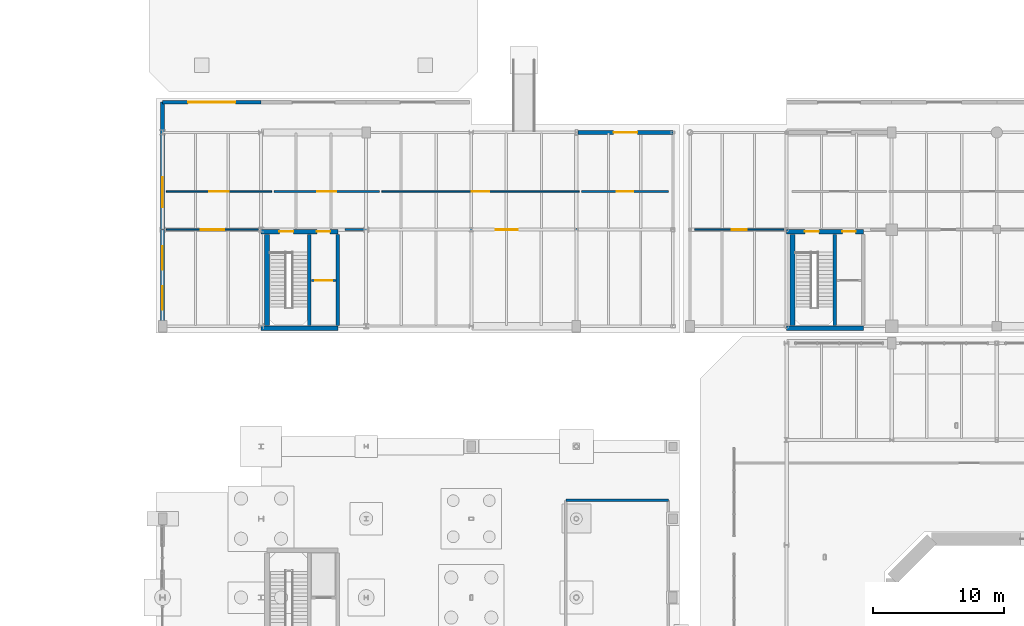
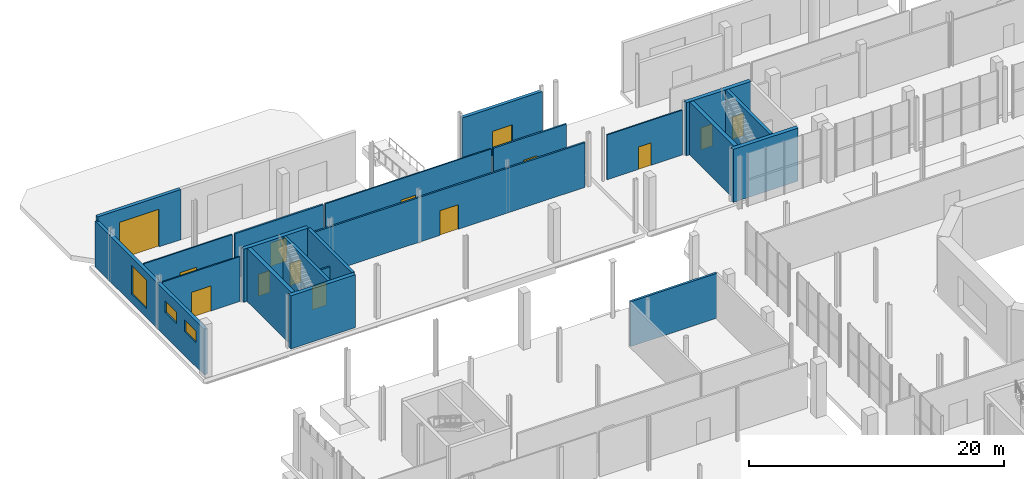
# One storey, part 69 of 87: 22 walls, 14 doors, 3 windows, 17 openings.
"""IFC4 building model written with IfcOpenShell, lengths in metres."""

from ifc_helpers import new_model, si_unit, direction, frame, frame_2d, origin, place, context, subcontext, project, spatial, rectangle, extrude, material, layer, layer_set, type_object, element, fill, save


model = new_model("IFC4")

# Units and contexts
model_context = context("Model", 3, precision=1e-05, world=origin(), true_north=direction((0.0, 1.0)))
body_context = subcontext(model_context, "Body", "Model", "MODEL_VIEW")
ifc_project = project(units=[si_unit("LENGTHUNIT", "METRE"), si_unit("AREAUNIT", "SQUARE_METRE"), si_unit("VOLUMEUNIT", "CUBIC_METRE"), si_unit("PLANEANGLEUNIT", "RADIAN"), si_unit("MASSUNIT", "GRAM", prefix="KILO")], contexts=[model_context])

# Site, building, storey
site_placement = place(None, origin())
site = spatial("IfcSite", under=ifc_project, at=site_placement, CompositionType="ELEMENT")
building_placement = place(site_placement, origin())
building = spatial("IfcBuilding", under=site, at=building_placement, Name="Brisemont Oceanarium", CompositionType="ELEMENT")
storey_placement = place(building_placement, origin())
storey = spatial("IfcBuildingStorey", under=building, at=storey_placement, Name="L00", CompositionType="ELEMENT", Elevation=0.0)

# Wall, opening, door
ifc_material_1 = material(Name="Sierra Granite Ashlar Backup Concrete C35/45", Category="masonry")
ifc_layer_1 = layer(ifc_material_1, 0.300048828125)
ifc_layer_set_1 = layer_set([ifc_layer_1], Name="Sierra Granite Ashlar Backup Concrete C35/45")
wall_type_1 = type_object("IfcWallType", Name="EW-GRANITE-300", PredefinedType="STANDARD", material=ifc_layer_set_1)
wall_1_placement = place(storey_placement, frame((16.5, 97.699951171875, 0.0), z_axis=(0.0, 0.0, 1.0), x_axis=(1.0, 0.0, 0.0)))
wall_1 = element("IfcWall", 1, at=wall_1_placement, inside=storey, type_object=wall_type_1, Name="Beaux-Arts exterior wall EW-V7WDOCK-1", PredefinedType="STANDARD", context=body_context, shape_type="SweptSolid", body=[
    extrude(rectangle(XDim=7.5, YDim=0.300048828125, at=frame_2d((3.75, 0.0))), origin(), (0.0, 0.0, 1.0), 4.800048828125),
])
opening_1_placement = place(wall_1_placement, frame((1.949951171875, 0.0, 0.0)))
opening_1 = element("IfcOpeningElement", 2, at=opening_1_placement, cuts=wall_1, Name="Opening EX-G1", PredefinedType="OPENING", context=body_context, shape_type="SweptSolid", body=[
    extrude(rectangle(XDim=3.60009765625, YDim=3.60009765625, at=frame_2d((1.800048828125, 1.800048828125))), frame((0.0, 0.159912109375, 0.0), z_axis=(0.0, -1.0, 0.0), x_axis=(1.0, 0.0, 0.0)), (0.0, 0.0, 1.0), 0.320068359375),
])
ifc_material_2 = material(Name="Duplex Stainless Steel EN 1.4462", Category="steel")
door_type_1 = type_object("IfcDoorType", Name="DR-GATE-3600X3600", OperationType="NOTDEFINED", PredefinedType="GATE", material=ifc_material_2)
door_1_placement = place(opening_1_placement, origin())
door_1 = element("IfcDoor", 3, at=door_1_placement, inside=storey, type_object=door_type_1, Name="EX-G1 exterior entrance door 12", OperationType="DOUBLE_DOOR_SLIDING", OverallHeight=3.60009765625, OverallWidth=3.60009765625, PredefinedType="GATE", context=body_context, shape_type="SweptSolid", body=[
    extrude(rectangle(XDim=3.60009765625, YDim=3.60009765625, at=frame_2d((1.800048828125, 1.800048828125))), frame((0.0, 0.02490234375, 0.0), z_axis=(0.0, -1.0, 0.0), x_axis=(1.0, 0.0, 0.0)), (0.0, 0.0, 1.0), 0.050048828125),
])
fill(opening_1, door_1)

wall_2_placement = place(storey_placement, frame((48.139892578125, 95.39990234375, 0.0), z_axis=(0.0, 0.0, 1.0), x_axis=(1.0, 0.0, 0.0)))
wall_2 = element("IfcWall", 4, at=wall_2_placement, inside=storey, type_object=wall_type_1, Name="Beaux-Arts exterior wall EW-C9-EXIT", PredefinedType="STANDARD", context=body_context, shape_type="SweptSolid", body=[
    extrude(rectangle(XDim=7.210205078125, YDim=0.300048828125, at=frame_2d((3.60498046875, 0.0))), origin(), (0.0, 0.0, 1.0), 4.5810546875),
])
opening_2_placement = place(wall_2_placement, frame((2.705078125, 0.0, 0.0)))
opening_2 = element("IfcOpeningElement", 5, at=opening_2_placement, cuts=wall_2, Name="Opening EX-03", PredefinedType="OPENING", context=body_context, shape_type="SweptSolid", body=[
    extrude(rectangle(XDim=1.800048828125, YDim=2.35009765625, at=frame_2d((0.89990234375, 1.175048828125))), frame((0.0, 0.159912109375, 0.0), z_axis=(0.0, -1.0, 0.0), x_axis=(1.0, 0.0, 0.0)), (0.0, 0.0, 1.0), 0.320068359375),
])
ifc_material_3 = material(Name="Patinated Architectural Bronze C38500")
door_type_2 = type_object("IfcDoorType", Name="DR-EXT-1800X2350", OperationType="NOTDEFINED", PredefinedType="DOOR", material=ifc_material_3)
door_2_placement = place(opening_2_placement, origin())
door_2 = element("IfcDoor", 6, at=door_2_placement, inside=storey, type_object=door_type_2, Name="EX-03 exterior entrance door 28", OperationType="SINGLE_SWING_RIGHT", OverallHeight=2.35009765625, OverallWidth=1.800048828125, PredefinedType="DOOR", context=body_context, shape_type="SweptSolid", body=[
    extrude(rectangle(XDim=1.800048828125, YDim=2.35009765625, at=frame_2d((0.89990234375, 1.175048828125))), frame((0.0, 0.02490234375, 0.0), z_axis=(0.0, -1.0, 0.0), x_axis=(1.0, 0.0, 0.0)), (0.0, 0.0, 1.0), 0.050048828125),
])
fill(opening_2, door_2)

# Wall, openings, windows
wall_3_placement = place(storey_placement, frame((16.5, 80.64990234375, 0.0), z_axis=(0.0, 0.0, 1.0), x_axis=(0.0, 1.0, 0.0)))
wall_3 = element("IfcWall", 7, at=wall_3_placement, inside=storey, type_object=wall_type_1, Name="Beaux-Arts exterior wall EW-V7W-W-L00-1", PredefinedType="STANDARD", context=body_context, shape_type="SweptSolid", body=[
    extrude(rectangle(XDim=7.35009765625, YDim=0.300048828125, at=frame_2d((3.675048828125, 0.0))), origin(), (0.0, 0.0, 1.0), 4.362060546875),
])
opening_3_placement = place(wall_3_placement, frame((1.25, 0.0, 2.300048828125)))
opening_3 = element("IfcOpeningElement", 8, at=opening_3_placement, cuts=wall_3, Name="Opening WIN-14", PredefinedType="OPENING", context=body_context, shape_type="SweptSolid", body=[
    extrude(rectangle(XDim=1.800048828125, YDim=1.10009765625, at=frame_2d((0.89990234375, 0.550048828125))), frame((0.0, 0.159912109375, 0.0), z_axis=(0.0, -1.0, 0.0), x_axis=(1.0, 0.0, 0.0)), (0.0, 0.0, 1.0), 0.320068359375),
])
opening_4_placement = place(wall_3_placement, frame((4.300048828125, 0.0, 2.300048828125)))
opening_4 = element("IfcOpeningElement", 9, at=opening_4_placement, cuts=wall_3, Name="Opening WIN-14", PredefinedType="OPENING", context=body_context, shape_type="SweptSolid", body=[
    extrude(rectangle(XDim=1.800048828125, YDim=1.10009765625, at=frame_2d((0.89990234375, 0.550048828125))), frame((0.0, 0.159912109375, 0.0), z_axis=(0.0, -1.0, 0.0), x_axis=(1.0, 0.0, 0.0)), (0.0, 0.0, 1.0), 0.320068359375),
])
ifc_material_4 = material(Name="Insulated Low-E Laminated Glass", Category="glass")
window_type_1 = type_object("IfcWindowType", Name="WIN-CLR-1800X1100", PartitioningType="SINGLE_PANEL", PredefinedType="WINDOW", material=ifc_material_4)
window_1_placement = place(opening_3_placement, origin())
window_1 = element("IfcWindow", 10, at=window_1_placement, inside=storey, type_object=window_type_1, Name="WIN-14 facade window 95", OverallHeight=1.10009765625, OverallWidth=1.800048828125, PartitioningType="SINGLE_PANEL", PredefinedType="WINDOW", context=body_context, shape_type="SweptSolid", body=[
    extrude(rectangle(XDim=1.800048828125, YDim=1.10009765625, at=frame_2d((0.89990234375, 0.550048828125))), frame((0.0, 0.030029296875, 0.0), z_axis=(0.0, -1.0, 0.0), x_axis=(1.0, 0.0, 0.0)), (0.0, 0.0, 1.0), 0.06005859375),
])
fill(opening_3, window_1)
window_2_placement = place(opening_4_placement, origin())
window_2 = element("IfcWindow", 11, at=window_2_placement, inside=storey, type_object=window_type_1, Name="WIN-14 facade window 96", OverallHeight=1.10009765625, OverallWidth=1.800048828125, PartitioningType="SINGLE_PANEL", PredefinedType="WINDOW", context=body_context, shape_type="SweptSolid", body=[
    extrude(rectangle(XDim=1.800048828125, YDim=1.10009765625, at=frame_2d((0.89990234375, 0.550048828125))), frame((0.0, 0.030029296875, 0.0), z_axis=(0.0, -1.0, 0.0), x_axis=(1.0, 0.0, 0.0)), (0.0, 0.0, 1.0), 0.06005859375),
])
fill(opening_4, window_2)

# Wall, opening, window
wall_4_placement = place(storey_placement, frame((16.5, 88.0, 0.0), z_axis=(0.0, 0.0, 1.0), x_axis=(0.0, 1.0, 0.0)))
wall_4 = element("IfcWall", 12, at=wall_4_placement, inside=storey, type_object=wall_type_1, Name="Beaux-Arts exterior wall EW-V7W-W-L00-2", PredefinedType="STANDARD", context=body_context, shape_type="SweptSolid", body=[
    extrude(rectangle(XDim=9.699951171875, YDim=0.300048828125, at=frame_2d((4.85009765625, 0.0))), origin(), (0.0, 0.0, 1.0), 4.362060546875),
])
opening_5_placement = place(wall_4_placement, frame((1.699951171875, 0.0, 0.85009765625)))
opening_5 = element("IfcOpeningElement", 13, at=opening_5_placement, cuts=wall_4, Name="Opening WIN-16", PredefinedType="OPENING", context=body_context, shape_type="SweptSolid", body=[
    extrude(rectangle(XDim=2.300048828125, YDim=2.75, at=frame_2d((1.14990234375, 1.375))), frame((0.0, 0.159912109375, 0.0), z_axis=(0.0, -1.0, 0.0), x_axis=(1.0, 0.0, 0.0)), (0.0, 0.0, 1.0), 0.320068359375),
])
ifc_material_5 = material(Name="Insulated Low-E Laminated Glass", Category="glass")
window_type_2 = type_object("IfcWindowType", Name="WIN-BA-2300X2750", PartitioningType="SINGLE_PANEL", PredefinedType="WINDOW", material=ifc_material_5)
window_3_placement = place(opening_5_placement, origin())
window_3 = element("IfcWindow", 14, at=window_3_placement, inside=storey, type_object=window_type_2, Name="WIN-16 facade window 97", OverallHeight=2.75, OverallWidth=2.300048828125, PartitioningType="SINGLE_PANEL", PredefinedType="WINDOW", context=body_context, shape_type="SweptSolid", body=[
    extrude(rectangle(XDim=2.300048828125, YDim=2.75, at=frame_2d((1.14990234375, 1.375))), frame((0.0, 0.030029296875, 0.0), z_axis=(0.0, -1.0, 0.0), x_axis=(1.0, 0.0, 0.0)), (0.0, 0.0, 1.0), 0.06005859375),
])
fill(opening_5, window_3)

# Wall, opening, door
ifc_material_6 = material(Name="Moisture-Resistant Gypsum Steel-Stud Partition", Category="steel")
ifc_layer_2 = layer(ifc_material_6, 0.159912109375)
ifc_layer_set_2 = layer_set([ifc_layer_2], Name="Moisture-Resistant Gypsum Steel-Stud Partition")
wall_type_2 = type_object("IfcWallType", Name="IW-FB-160", PredefinedType="PARTITIONING", material=ifc_layer_set_2)
wall_5_placement = place(storey_placement, frame((27.85009765625, 84.1298828125, 0.0), z_axis=(0.0, 0.0, 1.0), x_axis=(1.0, 0.0, 0.0)))
wall_5 = element("IfcWall", 15, at=wall_5_placement, inside=storey, type_object=wall_type_2, Name="Core C9 L00 lift hoistway front wall", PredefinedType="PARTITIONING", context=body_context, shape_type="SweptSolid", body=[
    extrude(rectangle(XDim=1.83984375, YDim=0.159912109375, at=frame_2d((0.919921875, 0.0))), origin(), (0.0, 0.0, 1.0), 3.60009765625),
])
opening_6_placement = place(wall_5_placement, frame((0.27001953125, 0.0, 0.0)))
opening_6 = element("IfcOpeningElement", 16, at=opening_6_placement, cuts=wall_5, Name="Opening LD-02", PredefinedType="OPENING", context=body_context, shape_type="SweptSolid", body=[
    extrude(rectangle(XDim=1.300048828125, YDim=2.199951171875, at=frame_2d((0.64990234375, 1.10009765625))), frame((0.0, 0.08984375, 0.0), z_axis=(0.0, -1.0, 0.0), x_axis=(1.0, 0.0, 0.0)), (0.0, 0.0, 1.0), 0.179931640625),
])
ifc_material_7 = material(Name="Duplex Stainless Steel EN 1.4462", Category="steel")
door_type_3 = type_object("IfcDoorType", Name="DR-LIFT-1300X2200", OperationType="NOTDEFINED", PredefinedType="DOOR", material=ifc_material_7)
door_3_placement = place(opening_6_placement, origin())
door_3 = element("IfcDoor", 17, at=door_3_placement, inside=storey, type_object=door_type_3, Name="Lift landing door L-09 L00", OperationType="SLIDING_TO_LEFT", OverallHeight=2.199951171875, OverallWidth=1.300048828125, PredefinedType="DOOR", context=body_context, shape_type="SweptSolid", body=[
    extrude(rectangle(XDim=1.300048828125, YDim=2.199951171875, at=frame_2d((0.64990234375, 1.10009765625))), frame((0.0, 0.02490234375, 0.0), z_axis=(0.0, -1.0, 0.0), x_axis=(1.0, 0.0, 0.0)), (0.0, 0.0, 1.0), 0.050048828125),
])
fill(opening_6, door_3)

wall_6_placement = place(storey_placement, frame((30.39990234375, 88.0, 0.0), z_axis=(0.0, 0.0, 1.0), x_axis=(1.0, 0.0, 0.0)))
wall_6 = element("IfcWall", 18, at=wall_6_placement, inside=storey, type_object=wall_type_2, Name="Husbandry Diet Kitchen and Commissary corridor partition", PredefinedType="PARTITIONING", context=body_context, shape_type="SweptSolid", body=[
    extrude(rectangle(XDim=24.60009765625, YDim=0.159912109375, at=frame_2d((12.300048828125, 0.0))), origin(), (0.0, 0.0, 1.0), 4.278076171875),
])
opening_7_placement = place(wall_6_placement, frame((11.47509765625, 0.0, 0.0)))
opening_7 = element("IfcOpeningElement", 19, at=opening_7_placement, cuts=wall_6, Name="Opening GD-02", PredefinedType="OPENING", context=body_context, shape_type="SweptSolid", body=[
    extrude(rectangle(XDim=1.64990234375, YDim=2.35009765625, at=frame_2d((0.824951171875, 1.175048828125))), frame((0.0, 0.08984375, 0.0), z_axis=(0.0, -1.0, 0.0), x_axis=(1.0, 0.0, 0.0)), (0.0, 0.0, 1.0), 0.179931640625),
])
ifc_material_8 = material(Name="Patinated Architectural Bronze C38500")
door_type_4 = type_object("IfcDoorType", Name="DR-GAL-1650X2350", OperationType="NOTDEFINED", PredefinedType="DOOR", material=ifc_material_8)
door_4_placement = place(opening_7_placement, origin())
door_4 = element("IfcDoor", 20, at=door_4_placement, inside=storey, type_object=door_type_4, Name="GD-02 door to Husbandry Diet Kitchen and Commissary", OperationType="SINGLE_SWING_LEFT", OverallHeight=2.35009765625, OverallWidth=1.64990234375, PredefinedType="DOOR", context=body_context, shape_type="SweptSolid", body=[
    extrude(rectangle(XDim=1.64990234375, YDim=2.35009765625, at=frame_2d((0.824951171875, 1.175048828125))), frame((0.0, 0.02490234375, 0.0), z_axis=(0.0, -1.0, 0.0), x_axis=(1.0, 0.0, 0.0)), (0.0, 0.0, 1.0), 0.050048828125),
])
fill(opening_7, door_4)

wall_7_placement = place(storey_placement, frame((25.0, 90.89990234375, 0.0), z_axis=(0.0, 0.0, 1.0), x_axis=(1.0, 0.0, 0.0)))
wall_7 = element("IfcWall", 21, at=wall_7_placement, inside=storey, type_object=wall_type_2, Name="Enclosed Freight Loading Bay 2 corridor partition", PredefinedType="PARTITIONING", context=body_context, shape_type="SweptSolid", body=[
    extrude(rectangle(XDim=8.0, YDim=0.159912109375, at=frame_2d((4.0, 0.0))), origin(), (0.0, 0.0, 1.0), 4.2900390625),
])
opening_8_placement = place(wall_7_placement, frame((3.27490234375, 0.0, 0.0)))
opening_8 = element("IfcOpeningElement", 22, at=opening_8_placement, cuts=wall_7, Name="Opening FD90-1", PredefinedType="OPENING", context=body_context, shape_type="SweptSolid", body=[
    extrude(rectangle(XDim=1.449951171875, YDim=2.25, at=frame_2d((0.72509765625, 1.125))), frame((0.0, 0.08984375, 0.0), z_axis=(0.0, -1.0, 0.0), x_axis=(1.0, 0.0, 0.0)), (0.0, 0.0, 1.0), 0.179931640625),
])
ifc_material_9 = material(Name="FSC White Oak Solid-Core Fire Door")
door_type_5 = type_object("IfcDoorType", Name="DR-LOB-1450X2250", OperationType="NOTDEFINED", PredefinedType="DOOR", material=ifc_material_9)
door_5_placement = place(opening_8_placement, origin())
door_5 = element("IfcDoor", 23, at=door_5_placement, inside=storey, type_object=door_type_5, Name="FD90-1 door to Enclosed Freight Loading Bay 2", OperationType="SINGLE_SWING_LEFT", OverallHeight=2.25, OverallWidth=1.449951171875, PredefinedType="DOOR", context=body_context, shape_type="SweptSolid", body=[
    extrude(rectangle(XDim=1.449951171875, YDim=2.25, at=frame_2d((0.72509765625, 1.125))), frame((0.0, 0.02490234375, 0.0), z_axis=(0.0, -1.0, 0.0), x_axis=(1.0, 0.0, 0.0)), (0.0, 0.0, 1.0), 0.050048828125),
])
fill(opening_8, door_5)

wall_8_placement = place(storey_placement, frame((48.39990234375, 90.89990234375, 0.0), z_axis=(0.0, 0.0, 1.0), x_axis=(1.0, 0.0, 0.0)))
wall_8 = element("IfcWall", 24, at=wall_8_placement, inside=storey, type_object=wall_type_2, Name="C9 Protected Exit Passageway corridor partition", PredefinedType="PARTITIONING", context=body_context, shape_type="SweptSolid", body=[
    extrude(rectangle(XDim=6.60009765625, YDim=0.159912109375, at=frame_2d((3.300048828125, 0.0))), origin(), (0.0, 0.0, 1.0), 4.2900390625),
])
opening_9_placement = place(wall_8_placement, frame((2.675048828125, 0.0, 0.0)))
opening_9 = element("IfcOpeningElement", 25, at=opening_9_placement, cuts=wall_8, Name="Opening LB-02", PredefinedType="OPENING", context=body_context, shape_type="SweptSolid", body=[
    extrude(rectangle(XDim=1.25, YDim=2.199951171875, at=frame_2d((0.625, 1.10009765625))), frame((0.0, 0.08984375, 0.0), z_axis=(0.0, -1.0, 0.0), x_axis=(1.0, 0.0, 0.0)), (0.0, 0.0, 1.0), 0.179931640625),
])
ifc_material_10 = material(Name="Duplex Stainless Steel EN 1.4462", Category="steel")
door_type_6 = type_object("IfcDoorType", Name="DR-LAB-1250X2200", OperationType="NOTDEFINED", PredefinedType="DOOR", material=ifc_material_10)
door_6_placement = place(opening_9_placement, origin())
door_6 = element("IfcDoor", 26, at=door_6_placement, inside=storey, type_object=door_type_6, Name="LB-02 door to C9 Protected Exit Passageway", OperationType="SINGLE_SWING_LEFT", OverallHeight=2.199951171875, OverallWidth=1.25, PredefinedType="DOOR", context=body_context, shape_type="SweptSolid", body=[
    extrude(rectangle(XDim=1.25, YDim=2.199951171875, at=frame_2d((0.625, 1.10009765625))), frame((0.0, 0.02490234375, 0.0), z_axis=(0.0, -1.0, 0.0), x_axis=(1.0, 0.0, 0.0)), (0.0, 0.0, 1.0), 0.050048828125),
])
fill(opening_9, door_6)

ifc_material_11 = material(Name="Moisture-Resistant Gypsum Steel-Stud Partition", Category="steel")
ifc_layer_3 = layer(ifc_material_11, 0.1201171875)
ifc_layer_set_3 = layer_set([ifc_layer_3], Name="Moisture-Resistant Gypsum Steel-Stud Partition")
wall_type_3 = type_object("IfcWallType", Name="IW-PART-120", PredefinedType="PARTITIONING", material=ifc_layer_set_3)
wall_9_placement = place(storey_placement, frame((16.800048828125, 88.0, 0.0), z_axis=(0.0, 0.0, 1.0), x_axis=(1.0, 0.0, 0.0)))
wall_9 = element("IfcWall", 27, at=wall_9_placement, inside=storey, type_object=wall_type_3, Name="Class 1 Staff Bicycle Storage corridor partition", PredefinedType="PARTITIONING", context=body_context, shape_type="SweptSolid", body=[
    extrude(rectangle(XDim=7.0, YDim=0.1201171875, at=frame_2d((3.5, 0.0))), origin(), (0.0, 0.0, 1.0), 4.2900390625),
])
opening_10_placement = place(wall_9_placement, frame((2.60009765625, 0.0, 0.0)))
opening_10 = element("IfcOpeningElement", 28, at=opening_10_placement, cuts=wall_9, Name="Opening GD-01", PredefinedType="OPENING", context=body_context, shape_type="SweptSolid", body=[
    extrude(rectangle(XDim=1.800048828125, YDim=2.39990234375, at=frame_2d((0.89990234375, 1.199951171875))), frame((0.0, 0.070068359375, 0.0), z_axis=(0.0, -1.0, 0.0), x_axis=(1.0, 0.0, 0.0)), (0.0, 0.0, 1.0), 0.14013671875),
])
ifc_material_12 = material(Name="Patinated Architectural Bronze C38500")
door_type_7 = type_object("IfcDoorType", Name="DR-GAL-1800X2400", OperationType="NOTDEFINED", PredefinedType="DOOR", material=ifc_material_12)
door_7_placement = place(opening_10_placement, origin())
door_7 = element("IfcDoor", 29, at=door_7_placement, inside=storey, type_object=door_type_7, Name="GD-01 door to Class 1 Staff Bicycle Storage", OperationType="SINGLE_SWING_RIGHT", OverallHeight=2.39990234375, OverallWidth=1.800048828125, PredefinedType="DOOR", context=body_context, shape_type="SweptSolid", body=[
    extrude(rectangle(XDim=1.800048828125, YDim=2.39990234375, at=frame_2d((0.89990234375, 1.199951171875))), frame((0.0, 0.02490234375, 0.0), z_axis=(0.0, -1.0, 0.0), x_axis=(1.0, 0.0, 0.0)), (0.0, 0.0, 1.0), 0.050048828125),
])
fill(opening_10, door_7)

wall_10_placement = place(storey_placement, frame((16.800048828125, 90.89990234375, 0.0), z_axis=(0.0, 0.0, 1.0), x_axis=(1.0, 0.0, 0.0)))
wall_10 = element("IfcWall", 30, at=wall_10_placement, inside=storey, type_object=wall_type_3, Name="Enclosed Freight Loading Bay 1 corridor partition", PredefinedType="PARTITIONING", context=body_context, shape_type="SweptSolid", body=[
    extrude(rectangle(XDim=8.0, YDim=0.1201171875, at=frame_2d((4.0, 0.0))), origin(), (0.0, 0.0, 1.0), 4.2900390625),
])
opening_11_placement = place(wall_10_placement, frame((3.25, 0.0, 0.0)))
opening_11 = element("IfcOpeningElement", 31, at=opening_11_placement, cuts=wall_10, Name="Opening GD-03", PredefinedType="OPENING", context=body_context, shape_type="SweptSolid", body=[
    extrude(rectangle(XDim=1.5, YDim=2.300048828125, at=frame_2d((0.75, 1.14990234375))), frame((0.0, 0.070068359375, 0.0), z_axis=(0.0, -1.0, 0.0), x_axis=(1.0, 0.0, 0.0)), (0.0, 0.0, 1.0), 0.14013671875),
])
ifc_material_13 = material(Name="Patinated Architectural Bronze C38500")
door_type_8 = type_object("IfcDoorType", Name="DR-GAL-1500X2300", OperationType="NOTDEFINED", PredefinedType="DOOR", material=ifc_material_13)
door_8_placement = place(opening_11_placement, origin())
door_8 = element("IfcDoor", 32, at=door_8_placement, inside=storey, type_object=door_type_8, Name="GD-03 door to Enclosed Freight Loading Bay 1", OperationType="SINGLE_SWING_RIGHT", OverallHeight=2.300048828125, OverallWidth=1.5, PredefinedType="DOOR", context=body_context, shape_type="SweptSolid", body=[
    extrude(rectangle(XDim=1.5, YDim=2.300048828125, at=frame_2d((0.75, 1.14990234375))), frame((0.0, 0.02490234375, 0.0), z_axis=(0.0, -1.0, 0.0), x_axis=(1.0, 0.0, 0.0)), (0.0, 0.0, 1.0), 0.050048828125),
])
fill(opening_11, door_8)

wall_11_placement = place(storey_placement, frame((33.199951171875, 90.89990234375, 0.0), z_axis=(0.0, 0.0, 1.0), x_axis=(1.0, 0.0, 0.0)))
wall_11 = element("IfcWall", 33, at=wall_11_placement, inside=storey, type_object=wall_type_3, Name="Quarantine Specimen Receiving Lab corridor partition", PredefinedType="PARTITIONING", context=body_context, shape_type="SweptSolid", body=[
    extrude(rectangle(XDim=15.0, YDim=0.1201171875, at=frame_2d((7.5, 0.0))), origin(), (0.0, 0.0, 1.0), 4.278076171875),
])
opening_12_placement = place(wall_11_placement, frame((6.824951171875, 0.0, 0.0)))
opening_12 = element("IfcOpeningElement", 34, at=opening_12_placement, cuts=wall_11, Name="Opening LB-01", PredefinedType="OPENING", context=body_context, shape_type="SweptSolid", body=[
    extrude(rectangle(XDim=1.35009765625, YDim=2.25, at=frame_2d((0.675048828125, 1.125))), frame((0.0, 0.070068359375, 0.0), z_axis=(0.0, -1.0, 0.0), x_axis=(1.0, 0.0, 0.0)), (0.0, 0.0, 1.0), 0.14013671875),
])
ifc_material_14 = material(Name="Duplex Stainless Steel EN 1.4462", Category="steel")
door_type_9 = type_object("IfcDoorType", Name="DR-LAB-1350X2250", OperationType="NOTDEFINED", PredefinedType="DOOR", material=ifc_material_14)
door_9_placement = place(opening_12_placement, origin())
door_9 = element("IfcDoor", 35, at=door_9_placement, inside=storey, type_object=door_type_9, Name="LB-01 door to Quarantine Specimen Receiving Lab", OperationType="SINGLE_SWING_RIGHT", OverallHeight=2.25, OverallWidth=1.35009765625, PredefinedType="DOOR", context=body_context, shape_type="SweptSolid", body=[
    extrude(rectangle(XDim=1.35009765625, YDim=2.25, at=frame_2d((0.675048828125, 1.125))), frame((0.0, 0.02490234375, 0.0), z_axis=(0.0, -1.0, 0.0), x_axis=(1.0, 0.0, 0.0)), (0.0, 0.0, 1.0), 0.050048828125),
])
fill(opening_12, door_9)

wall_12_placement = place(storey_placement, frame((57.0, 88.0, 0.0), z_axis=(0.0, 0.0, 1.0), x_axis=(1.0, 0.0, 0.0)))
wall_12 = element("IfcWall", 36, at=wall_12_placement, inside=storey, type_object=wall_type_3, Name="Fire Command Center corridor partition", PredefinedType="PARTITIONING", context=body_context, shape_type="SweptSolid", body=[
    extrude(rectangle(XDim=6.800048828125, YDim=0.1201171875, at=frame_2d((3.39990234375, 0.0))), origin(), (0.0, 0.0, 1.0), 4.2900390625),
])
opening_13_placement = place(wall_12_placement, frame((2.840087890625, 0.0, 0.0)))
opening_13 = element("IfcOpeningElement", 37, at=opening_13_placement, cuts=wall_12, Name="Opening LB-03", PredefinedType="OPENING", context=body_context, shape_type="SweptSolid", body=[
    extrude(rectangle(XDim=1.1201171875, YDim=2.14990234375, at=frame_2d((0.56005859375, 1.074951171875))), frame((0.0, 0.070068359375, 0.0), z_axis=(0.0, -1.0, 0.0), x_axis=(1.0, 0.0, 0.0)), (0.0, 0.0, 1.0), 0.14013671875),
])
ifc_material_15 = material(Name="Duplex Stainless Steel EN 1.4462", Category="steel")
door_type_10 = type_object("IfcDoorType", Name="DR-LAB-1120X2150", OperationType="NOTDEFINED", PredefinedType="DOOR", material=ifc_material_15)
door_10_placement = place(opening_13_placement, origin())
door_10 = element("IfcDoor", 38, at=door_10_placement, inside=storey, type_object=door_type_10, Name="LB-03 door to Fire Command Center", OperationType="SINGLE_SWING_RIGHT", OverallHeight=2.14990234375, OverallWidth=1.1201171875, PredefinedType="DOOR", context=body_context, shape_type="SweptSolid", body=[
    extrude(rectangle(XDim=1.1201171875, YDim=2.14990234375, at=frame_2d((0.56005859375, 1.074951171875))), frame((0.0, 0.02490234375, 0.0), z_axis=(0.0, -1.0, 0.0), x_axis=(1.0, 0.0, 0.0)), (0.0, 0.0, 1.0), 0.050048828125),
])
fill(opening_13, door_10)

# Walls
ifc_material_16 = material(Name="Cementitious Tile-Backer Plumbing Wall")
ifc_layer_4 = layer(ifc_material_16, 0.199951171875)
ifc_layer_set_4 = layer_set([ifc_layer_4], Name="Cementitious Tile-Backer Plumbing Wall")
wall_type_4 = type_object("IfcWallType", Name="IW-PLUMB-200", PredefinedType="PLUMBINGWALL", material=ifc_layer_set_4)
wall_13_placement = place(storey_placement, frame((47.199951171875, 67.39990234375, 0.0), z_axis=(0.0, 0.0, 1.0), x_axis=(1.0, 0.0, 0.0)))
element("IfcWall", 39, at=wall_13_placement, inside=storey, type_object=wall_type_4, Name="Public Restroom enclosure wall N", PredefinedType="PLUMBINGWALL", context=body_context, shape_type="SweptSolid", body=[
    extrude(rectangle(XDim=7.800048828125, YDim=0.199951171875, at=frame_2d((3.89990234375, 0.0))), origin(), (0.0, 0.0, 1.0), 4.2900390625),
])
ifc_material_17 = material(Name="Concrete C40/50", Category="concrete")
ifc_layer_5 = layer(ifc_material_17, 0.260009765625)
ifc_layer_set_5 = layer_set([ifc_layer_5], Name="Concrete C40/50")
wall_type_5 = type_object("IfcWallType", Name="SW-SHAFT-260", PredefinedType="SHEAR", material=ifc_layer_set_5)
for number, where, z_axis, x_axis, name in (
    (40, (67.669921875, 80.699951171875, 0.0), (0.0, 0.0, 1.0), (0.0, 1.0, 0.0), "Core C8 L00 MID RC shear wall"),
    (41, (29.85009765625, 80.699951171875, 0.0), (0.0, 0.0, 1.0), (0.0, 1.0, 0.0), "Core C9 L00 E RC shear wall"),
    (42, (27.669921875, 80.699951171875, 0.0), (0.0, 0.0, 1.0), (0.0, 1.0, 0.0), "Core C9 L00 MID RC shear wall"),
):
    element("IfcWall", number, at=place(storey_placement, frame(where, z_axis=z_axis, x_axis=x_axis)), inside=storey, type_object=wall_type_5, Name=name, PredefinedType="SHEAR", context=body_context, shape_type="SweptSolid", body=[
        extrude(rectangle(XDim=6.949951171875, YDim=0.260009765625, at=frame_2d((3.47509765625, 0.0))), origin(), (0.0, 0.0, 1.0), 5.070068359375),
    ])

# Wall, openings, doors
ifc_material_18 = material(Name="Concrete C40/50", Category="concrete")
ifc_layer_6 = layer(ifc_material_18, 0.35009765625)
ifc_layer_set_6 = layer_set([ifc_layer_6], Name="Concrete C40/50")
wall_type_6 = type_object("IfcWallType", Name="SW-STAIR-350", PredefinedType="SHEAR", material=ifc_layer_set_6)
wall_14_placement = place(storey_placement, frame((64.0, 87.85009765625, 0.0), z_axis=(0.0, 0.0, 1.0), x_axis=(1.0, 0.0, 0.0)))
wall_14 = element("IfcWall", 43, at=wall_14_placement, inside=storey, type_object=wall_type_6, Name="Core C8 L00 corridor RC shear wall", PredefinedType="SHEAR", context=body_context, shape_type="SweptSolid", body=[
    extrude(rectangle(XDim=5.85009765625, YDim=0.35009765625, at=frame_2d((2.925048828125, 0.0))), origin(), (0.0, 0.0, 1.0), 5.070068359375),
])
opening_14_placement = place(wall_14_placement, frame((1.39990234375, 0.0, 0.0)))
opening_14 = element("IfcOpeningElement", 44, at=opening_14_placement, cuts=wall_14, Name="Opening SD-02", PredefinedType="OPENING", context=body_context, shape_type="SweptSolid", body=[
    extrude(rectangle(XDim=1.050048828125, YDim=2.10009765625, at=frame_2d((0.52490234375, 1.050048828125))), frame((0.0, 0.18505859375, 0.0), z_axis=(0.0, -1.0, 0.0), x_axis=(1.0, 0.0, 0.0)), (0.0, 0.0, 1.0), 0.3701171875),
])
opening_15_placement = place(wall_14_placement, frame((4.25, 0.0, 0.0)))
opening_15 = element("IfcOpeningElement", 45, at=opening_15_placement, cuts=wall_14, Name="Opening FD90-2", PredefinedType="OPENING", context=body_context, shape_type="SweptSolid", body=[
    extrude(rectangle(XDim=1.0, YDim=2.14990234375, at=frame_2d((0.5, 1.074951171875))), frame((0.0, 0.18505859375, 0.0), z_axis=(0.0, -1.0, 0.0), x_axis=(1.0, 0.0, 0.0)), (0.0, 0.0, 1.0), 0.3701171875),
])
ifc_material_19 = material(Name="FSC White Oak Solid-Core Fire Door")
door_type_11 = type_object("IfcDoorType", Name="DR-LOB-1000X2150", OperationType="NOTDEFINED", PredefinedType="DOOR", material=ifc_material_19)
door_11_placement = place(opening_15_placement, origin())
door_11 = element("IfcDoor", 46, at=door_11_placement, inside=storey, type_object=door_type_11, Name="Lift lobby door C8 L00", OperationType="SINGLE_SWING_RIGHT", OverallHeight=2.14990234375, OverallWidth=1.0, PredefinedType="DOOR", context=body_context, shape_type="SweptSolid", body=[
    extrude(rectangle(XDim=1.0, YDim=2.14990234375, at=frame_2d((0.5, 1.074951171875))), frame((0.0, 0.02490234375, 0.0), z_axis=(0.0, -1.0, 0.0), x_axis=(1.0, 0.0, 0.0)), (0.0, 0.0, 1.0), 0.050048828125),
])
fill(opening_15, door_11)
ifc_material_20 = material(Name="Duplex Stainless Steel EN 1.4462", Category="steel")
door_type_12 = type_object("IfcDoorType", Name="DR-STAIR-1050X2100", OperationType="NOTDEFINED", PredefinedType="DOOR", material=ifc_material_20)
door_12_placement = place(opening_14_placement, origin())
door_12 = element("IfcDoor", 47, at=door_12_placement, inside=storey, type_object=door_type_12, Name="Exit stair door ST-08 L00", OperationType="SINGLE_SWING_LEFT", OverallHeight=2.10009765625, OverallWidth=1.050048828125, PredefinedType="DOOR", context=body_context, shape_type="SweptSolid", body=[
    extrude(rectangle(XDim=1.050048828125, YDim=2.10009765625, at=frame_2d((0.52490234375, 1.050048828125))), frame((0.0, 0.02490234375, 0.0), z_axis=(0.0, -1.0, 0.0), x_axis=(1.0, 0.0, 0.0)), (0.0, 0.0, 1.0), 0.050048828125),
])
fill(opening_14, door_12)

# Walls
wall_15_placement = place(storey_placement, frame((64.0, 80.5, 0.0), z_axis=(0.0, 0.0, 1.0), x_axis=(1.0, 0.0, 0.0)))
element("IfcWall", 48, at=wall_15_placement, inside=storey, type_object=wall_type_6, Name="Core C8 L00 BCK RC shear wall", PredefinedType="SHEAR", context=body_context, shape_type="SweptSolid", body=[
    extrude(rectangle(XDim=5.85009765625, YDim=0.35009765625, at=frame_2d((2.925048828125, 0.0))), origin(), (0.0, 0.0, 1.0), 5.070068359375),
])
wall_16_placement = place(storey_placement, frame((64.449951171875, 80.699951171875, 0.0), z_axis=(0.0, 0.0, 1.0), x_axis=(0.0, 1.0, 0.0)))
element("IfcWall", 49, at=wall_16_placement, inside=storey, type_object=wall_type_6, Name="Core C8 L00 W RC shear wall", PredefinedType="SHEAR", context=body_context, shape_type="SweptSolid", body=[
    extrude(rectangle(XDim=6.949951171875, YDim=0.35009765625, at=frame_2d((3.47509765625, 0.0))), origin(), (0.0, 0.0, 1.0), 5.070068359375),
])

# Wall, openings, doors
wall_17_placement = place(storey_placement, frame((24.0, 87.85009765625, 0.0), z_axis=(0.0, 0.0, 1.0), x_axis=(1.0, 0.0, 0.0)))
wall_17 = element("IfcWall", 50, at=wall_17_placement, inside=storey, type_object=wall_type_6, Name="Core C9 L00 corridor RC shear wall", PredefinedType="SHEAR", context=body_context, shape_type="SweptSolid", body=[
    extrude(rectangle(XDim=5.85009765625, YDim=0.35009765625, at=frame_2d((2.925048828125, 0.0))), origin(), (0.0, 0.0, 1.0), 5.070068359375),
])
opening_16_placement = place(wall_17_placement, frame((1.39990234375, 0.0, 0.0)))
opening_16 = element("IfcOpeningElement", 51, at=opening_16_placement, cuts=wall_17, Name="Opening SD-02", PredefinedType="OPENING", context=body_context, shape_type="SweptSolid", body=[
    extrude(rectangle(XDim=1.050048828125, YDim=2.10009765625, at=frame_2d((0.52490234375, 1.050048828125))), frame((0.0, 0.18505859375, 0.0), z_axis=(0.0, -1.0, 0.0), x_axis=(1.0, 0.0, 0.0)), (0.0, 0.0, 1.0), 0.3701171875),
])
opening_17_placement = place(wall_17_placement, frame((4.25, 0.0, 0.0)))
opening_17 = element("IfcOpeningElement", 52, at=opening_17_placement, cuts=wall_17, Name="Opening FD90-2", PredefinedType="OPENING", context=body_context, shape_type="SweptSolid", body=[
    extrude(rectangle(XDim=1.0, YDim=2.14990234375, at=frame_2d((0.5, 1.074951171875))), frame((0.0, 0.18505859375, 0.0), z_axis=(0.0, -1.0, 0.0), x_axis=(1.0, 0.0, 0.0)), (0.0, 0.0, 1.0), 0.3701171875),
])
door_13_placement = place(opening_17_placement, origin())
door_13 = element("IfcDoor", 53, at=door_13_placement, inside=storey, type_object=door_type_11, Name="Lift lobby door C9 L00", OperationType="SINGLE_SWING_RIGHT", OverallHeight=2.14990234375, OverallWidth=1.0, PredefinedType="DOOR", context=body_context, shape_type="SweptSolid", body=[
    extrude(rectangle(XDim=1.0, YDim=2.14990234375, at=frame_2d((0.5, 1.074951171875))), frame((0.0, 0.02490234375, 0.0), z_axis=(0.0, -1.0, 0.0), x_axis=(1.0, 0.0, 0.0)), (0.0, 0.0, 1.0), 0.050048828125),
])
fill(opening_17, door_13)
door_14_placement = place(opening_16_placement, origin())
door_14 = element("IfcDoor", 54, at=door_14_placement, inside=storey, type_object=door_type_12, Name="Exit stair door ST-09 L00", OperationType="SINGLE_SWING_LEFT", OverallHeight=2.10009765625, OverallWidth=1.050048828125, PredefinedType="DOOR", context=body_context, shape_type="SweptSolid", body=[
    extrude(rectangle(XDim=1.050048828125, YDim=2.10009765625, at=frame_2d((0.52490234375, 1.050048828125))), frame((0.0, 0.02490234375, 0.0), z_axis=(0.0, -1.0, 0.0), x_axis=(1.0, 0.0, 0.0)), (0.0, 0.0, 1.0), 0.050048828125),
])
fill(opening_16, door_14)

# Walls
wall_18_placement = place(storey_placement, frame((24.0, 80.5, 0.0), z_axis=(0.0, 0.0, 1.0), x_axis=(1.0, 0.0, 0.0)))
element("IfcWall", 55, at=wall_18_placement, inside=storey, type_object=wall_type_6, Name="Core C9 L00 BCK RC shear wall", PredefinedType="SHEAR", context=body_context, shape_type="SweptSolid", body=[
    extrude(rectangle(XDim=5.85009765625, YDim=0.35009765625, at=frame_2d((2.925048828125, 0.0))), origin(), (0.0, 0.0, 1.0), 5.070068359375),
])
wall_19_placement = place(storey_placement, frame((24.449951171875, 80.699951171875, 0.0), z_axis=(0.0, 0.0, 1.0), x_axis=(0.0, 1.0, 0.0)))
element("IfcWall", 56, at=wall_19_placement, inside=storey, type_object=wall_type_6, Name="Core C9 L00 W RC shear wall", PredefinedType="SHEAR", context=body_context, shape_type="SweptSolid", body=[
    extrude(rectangle(XDim=6.949951171875, YDim=0.35009765625, at=frame_2d((3.47509765625, 0.0))), origin(), (0.0, 0.0, 1.0), 5.070068359375),
])

save(model, "model.ifc")
